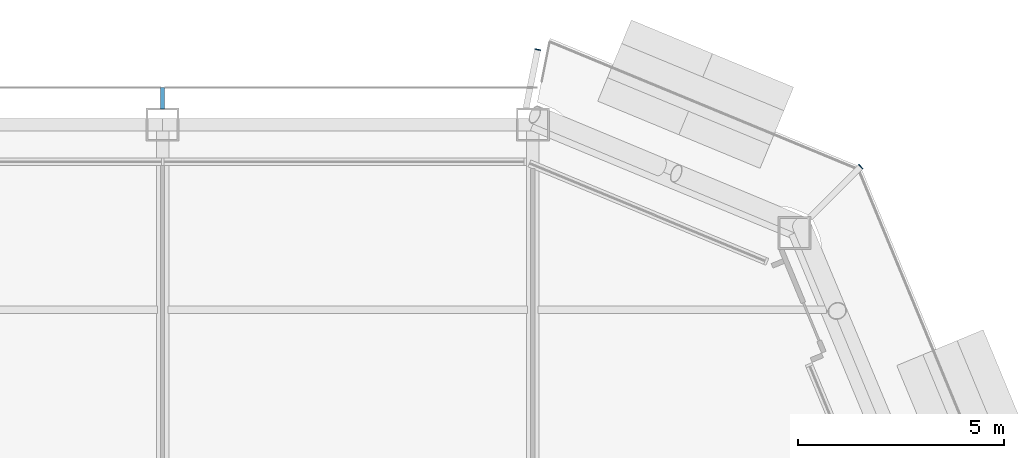
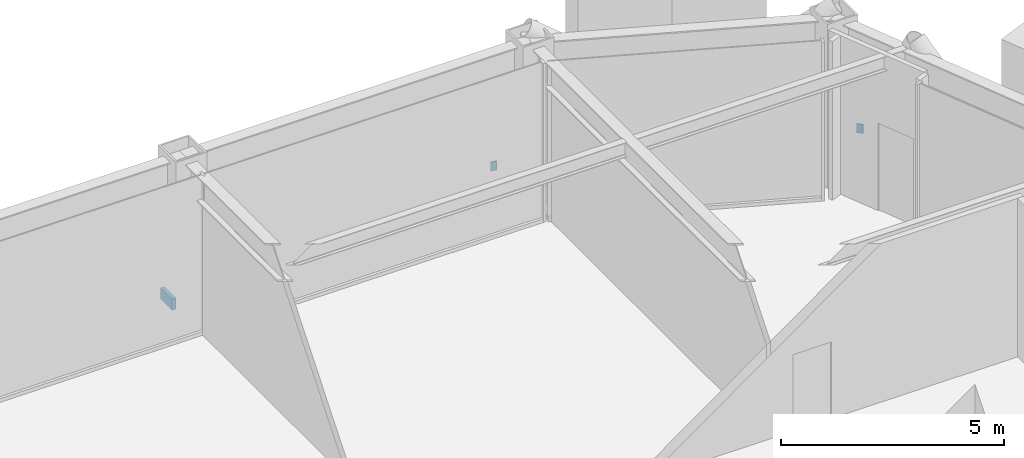
# One storey, part 18 of 23: 3 discrete accessories.
"""IFC4 building model written with IfcOpenShell, lengths in metres."""

from ifc_helpers import new_model, si_unit, direction, frame, origin, origin_2d, place, context, subcontext, project, spatial, rectangle, extrude, material, layer, layer_set, type_object, element, save


model = new_model("IFC4")

# Units and contexts
model_context = context("Model", 3, precision=1e-05, world=origin(), true_north=direction((0.0, 1.0)))
body_context = subcontext(model_context, "Body", "Model", "MODEL_VIEW")
ifc_project = project(units=[si_unit("LENGTHUNIT", "METRE"), si_unit("AREAUNIT", "SQUARE_METRE"), si_unit("VOLUMEUNIT", "CUBIC_METRE"), si_unit("PLANEANGLEUNIT", "RADIAN"), si_unit("MASSUNIT", "GRAM", prefix="KILO")], contexts=[model_context])

# Site, building, storey
site_placement = place(None, origin())
site = spatial("IfcSite", under=ifc_project, at=site_placement, CompositionType="ELEMENT")
building_placement = place(site_placement, origin())
building = spatial("IfcBuilding", under=site, at=building_placement, Name="Siwar Civic Tower", CompositionType="ELEMENT")
storey_placement = place(building_placement, frame((0.0, 0.0, 260.199951171875)))
storey = spatial("IfcBuildingStorey", under=building, at=storey_placement, Name="L56", CompositionType="ELEMENT", Elevation=260.199951171875)

# Discrete accessories
ifc_material_1 = material(Name="Stainless steel 316", Category="steel")
discrete_accessory_type_1 = type_object("IfcDiscreteAccessoryType", Name="ENV-BRACKET", PredefinedType="BRACKET", material=ifc_material_1)
discrete_accessory_placement = place(storey_placement, frame((9.0, 27.639892578125, -0.14990234375), z_axis=(0.0, 0.0, 1.0), x_axis=(0.0, 1.0, 0.0)))
element("IfcDiscreteAccessory", 1, at=discrete_accessory_placement, inside=storey, type_object=discrete_accessory_type_1, Name="Bracket outer skin joint N-01", PredefinedType="BRACKET", context=body_context, shape_type="SweptSolid", body=[
    extrude(rectangle(XDim=0.52001953125, YDim=0.10009765625, at=origin_2d()), origin(), (0.0, 0.0, 1.0), 0.300048828125),
])
ifc_material_2 = material(Name="Steel S355", Category="steel")
ifc_layer = layer(ifc_material_2, 0.02001953125)
ifc_layer_set = layer_set([ifc_layer], Name="Steel S355")
discrete_accessory_type_2 = type_object("IfcDiscreteAccessoryType", Name="STR-END-CAP", PredefinedType="USERDEFINED", material=ifc_layer_set)
for number, where, z_axis, x_axis, name in (
    (2, (25.978271484375, 25.978271484375, -0.39990234375), (0.0, 0.0, 1.0), (0.707106781187, 0.707106781187, 0.0), "End cap plate Balcony cantilever beam NE 2"),
    (3, (18.118408203125, 28.8251953125, -0.39990234375), (0.0, 0.0, 1.0), (0.195090321691, 0.980785280468, 0.0), "End cap plate Balcony cantilever beam NE 3"),
):
    element("IfcDiscreteAccessory", number, at=place(storey_placement, frame(where, z_axis=z_axis, x_axis=x_axis)), inside=storey, type_object=discrete_accessory_type_2, Name=name, ObjectType="END CAP PLATE", PredefinedType="USERDEFINED", context=body_context, shape_type="SweptSolid", body=[
        extrude(rectangle(XDim=0.02001953125, YDim=0.14990234375, at=origin_2d()), origin(), (0.0, 0.0, 1.0), 0.25),
    ])

save(model, "model.ifc")
